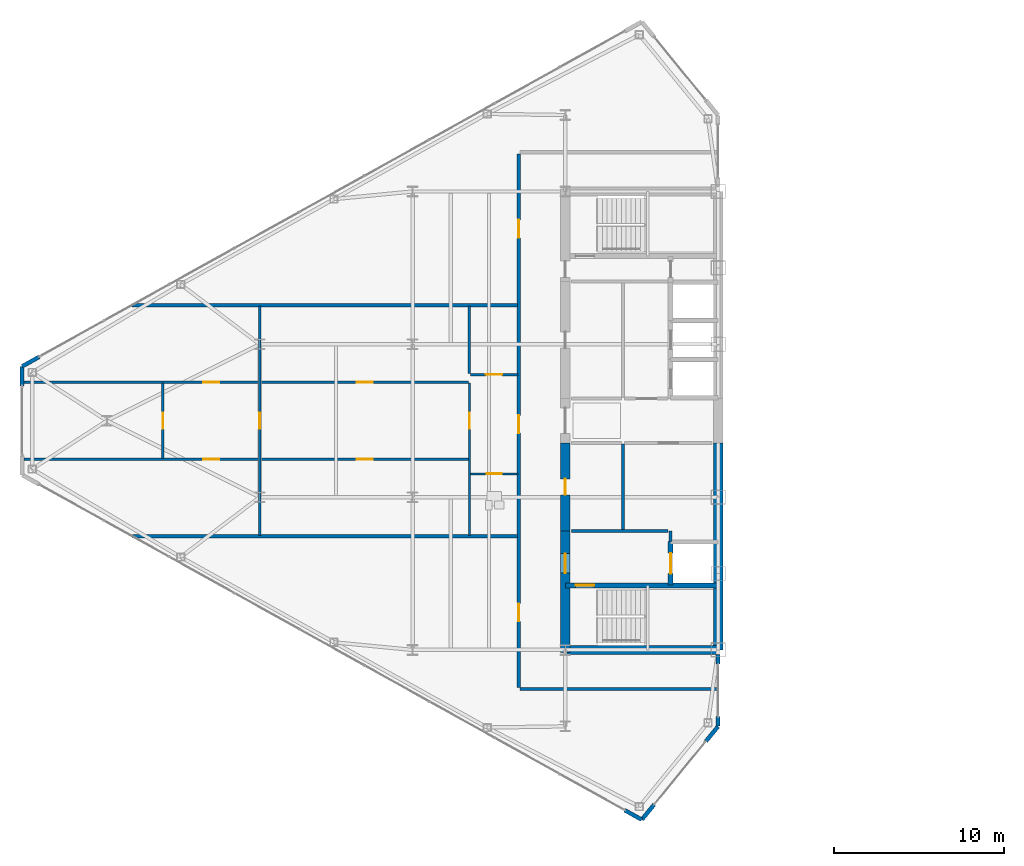
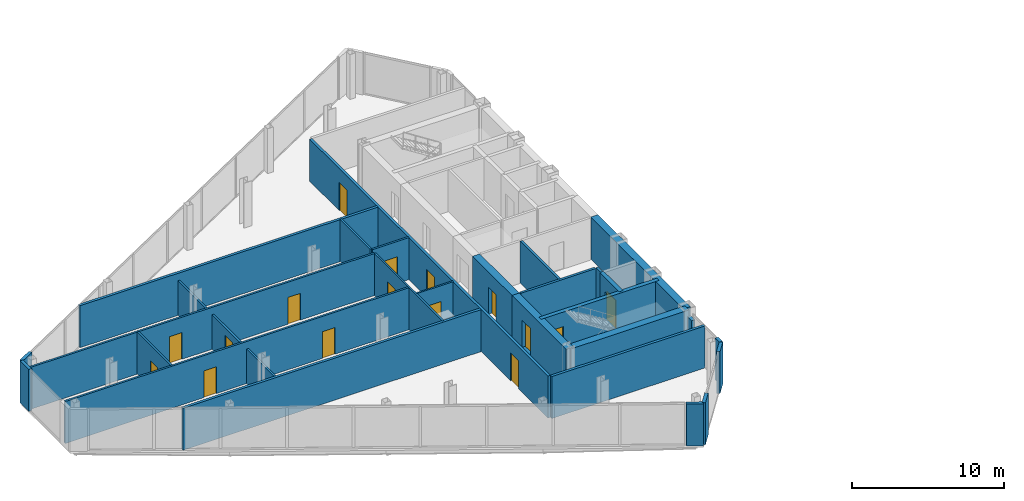
# One storey, part 19 of 25: 28 walls, 16 doors, 16 openings.
"""IFC4 building model written with IfcOpenShell, lengths in metres."""

from ifc_helpers import new_model, si_unit, direction, frame, frame_2d, origin, place, context, subcontext, project, spatial, rectangle, extrude, source, transform, mapped, material, layer, layer_set, type_object, type_shapes, element, fill, save


model = new_model("IFC4")

# Units and contexts
model_context = context("Model", 3, precision=1e-05, world=origin(), true_north=direction((0.0, 1.0)))
body_context = subcontext(model_context, "Body", "Model", "MODEL_VIEW")
ifc_project = project(units=[si_unit("LENGTHUNIT", "METRE"), si_unit("AREAUNIT", "SQUARE_METRE"), si_unit("VOLUMEUNIT", "CUBIC_METRE"), si_unit("PLANEANGLEUNIT", "RADIAN"), si_unit("MASSUNIT", "GRAM", prefix="KILO")], contexts=[model_context])

# Site, building, storey
site_placement = place(None, origin())
site = spatial("IfcSite", under=ifc_project, at=site_placement, CompositionType="ELEMENT")
building_placement = place(site_placement, origin())
building = spatial("IfcBuilding", under=site, at=building_placement, Name="Seokmaru Belvedere", CompositionType="ELEMENT")
storey_placement = place(building_placement, frame((0.0, 0.0, 185.10009765625)))
storey = spatial("IfcBuildingStorey", under=building, at=storey_placement, Name="L49", CompositionType="ELEMENT", Elevation=185.10009765625)

# Wall, openings, doors
ifc_material_1 = material(Name="Fire-Rated Gypsum Shaftwall")
ifc_layer_1 = layer(ifc_material_1, 0.14990234375)
ifc_layer_set_1 = layer_set([ifc_layer_1], Name="Fire-Rated Gypsum Shaftwall")
wall_type_1 = type_object("IfcWallType", Name="Apartment Fire-Acoustic Room Partition 150", PredefinedType="PARTITIONING", material=ifc_layer_set_1)
wall_1_placement = place(storey_placement, frame((-68.375, -2.27001953125, 0.0), z_axis=(0.0, 0.0, 1.0), x_axis=(1.0, 0.0, 0.0)))
wall_1 = element("IfcWall", 1, at=wall_1_placement, inside=storey, type_object=wall_type_1, Name="L49 Interior Partition 008", PredefinedType="PARTITIONING", context=body_context, shape_type="SweptSolid", body=[
    extrude(rectangle(XDim=26.175048828125, YDim=0.14990234375, at=frame_2d((13.08740234375, 0.0))), origin(), (0.0, 0.0, 1.0), 3.3798828125),
])
opening_1_placement = place(wall_1_placement, frame((19.574951171875, 0.0, 0.0)))
opening_1 = element("IfcOpeningElement", 2, at=opening_1_placement, cuts=wall_1, Name="Opening D05", PredefinedType="OPENING", context=body_context, shape_type="SweptSolid", body=[
    extrude(rectangle(XDim=0.949951171875, YDim=2.14990234375, at=frame_2d((0.47509765625, 1.074951171875))), frame((0.0, 0.0849609375, 0.0), z_axis=(0.0, -1.0, 0.0), x_axis=(1.0, 0.0, 0.0)), (0.0, 0.0, 1.0), 0.169921875),
])
opening_2_placement = place(wall_1_placement, frame((10.550048828125, 0.0, 0.0)))
opening_2 = element("IfcOpeningElement", 3, at=opening_2_placement, cuts=wall_1, Name="Opening D05", PredefinedType="OPENING", context=body_context, shape_type="SweptSolid", body=[
    extrude(rectangle(XDim=0.949951171875, YDim=2.14990234375, at=frame_2d((0.47509765625, 1.074951171875))), frame((0.0, 0.0849609375, 0.0), z_axis=(0.0, -1.0, 0.0), x_axis=(1.0, 0.0, 0.0)), (0.0, 0.0, 1.0), 0.169921875),
])
ifc_material_2 = material(Name="Engineered White Oak Timber", Category="wood")
door_type_1 = type_object("IfcDoorType", Name="Apartment Interior Fire-Rated Oak Door 950x2150", OperationType="NOTDEFINED", PredefinedType="DOOR", material=ifc_material_2)
shared_shape_1 = source(origin(), body_context, "Body", "SweptSolid", [
    extrude(rectangle(XDim=0.949951171875, YDim=2.14990234375, at=frame_2d((0.47509765625, 1.074951171875))), frame((0.0, 0.02490234375, 0.0), z_axis=(0.0, -1.0, 0.0), x_axis=(1.0, 0.0, 0.0)), (0.0, 0.0, 1.0), 0.050048828125),
])
type_shapes(door_type_1, [shared_shape_1])
door_1_placement = place(opening_1_placement, origin())
door_1 = element("IfcDoor", 4, at=door_1_placement, inside=storey, type_object=door_type_1, Name="L49 Interior Door 007", OperationType="SINGLE_SWING_RIGHT", OverallHeight=2.14990234375, OverallWidth=0.949951171875, PredefinedType="DOOR", context=body_context, shape_type="MappedRepresentation", body=[
    mapped(shared_shape_1, transform((0.0, 0.0, 0.0), scale=1.0)),
])
fill(opening_1, door_1)
door_2_placement = place(opening_2_placement, origin())
door_2 = element("IfcDoor", 5, at=door_2_placement, inside=storey, type_object=door_type_1, Name="L49 Interior Door 009", OperationType="SINGLE_SWING_LEFT", OverallHeight=2.14990234375, OverallWidth=0.949951171875, PredefinedType="DOOR", context=body_context, shape_type="MappedRepresentation", body=[
    mapped(shared_shape_1, transform((0.0, 0.0, 0.0), scale=1.0)),
])
fill(opening_2, door_2)

wall_2_placement = place(storey_placement, frame((-68.375, 2.27001953125, 0.0), z_axis=(0.0, 0.0, 1.0), x_axis=(1.0, 0.0, 0.0)))
wall_2 = element("IfcWall", 6, at=wall_2_placement, inside=storey, type_object=wall_type_1, Name="L49 Interior Partition 011", PredefinedType="PARTITIONING", context=body_context, shape_type="SweptSolid", body=[
    extrude(rectangle(XDim=26.175048828125, YDim=0.14990234375, at=frame_2d((13.08740234375, 0.0))), origin(), (0.0, 0.0, 1.0), 3.3798828125),
])
opening_3_placement = place(wall_2_placement, frame((19.574951171875, 0.0, 0.0)))
opening_3 = element("IfcOpeningElement", 7, at=opening_3_placement, cuts=wall_2, Name="Opening D05", PredefinedType="OPENING", context=body_context, shape_type="SweptSolid", body=[
    extrude(rectangle(XDim=0.949951171875, YDim=2.14990234375, at=frame_2d((0.47509765625, 1.074951171875))), frame((0.0, 0.0849609375, 0.0), z_axis=(0.0, -1.0, 0.0), x_axis=(1.0, 0.0, 0.0)), (0.0, 0.0, 1.0), 0.169921875),
])
opening_4_placement = place(wall_2_placement, frame((10.550048828125, 0.0, 0.0)))
opening_4 = element("IfcOpeningElement", 8, at=opening_4_placement, cuts=wall_2, Name="Opening D05", PredefinedType="OPENING", context=body_context, shape_type="SweptSolid", body=[
    extrude(rectangle(XDim=0.949951171875, YDim=2.14990234375, at=frame_2d((0.47509765625, 1.074951171875))), frame((0.0, 0.0849609375, 0.0), z_axis=(0.0, -1.0, 0.0), x_axis=(1.0, 0.0, 0.0)), (0.0, 0.0, 1.0), 0.169921875),
])
door_3_placement = place(opening_3_placement, origin())
door_3 = element("IfcDoor", 9, at=door_3_placement, inside=storey, type_object=door_type_1, Name="L49 Interior Door 008", OperationType="SINGLE_SWING_LEFT", OverallHeight=2.14990234375, OverallWidth=0.949951171875, PredefinedType="DOOR", context=body_context, shape_type="MappedRepresentation", body=[
    mapped(shared_shape_1, transform((0.0, 0.0, 0.0), scale=1.0)),
])
fill(opening_3, door_3)
door_4_placement = place(opening_4_placement, origin())
door_4 = element("IfcDoor", 10, at=door_4_placement, inside=storey, type_object=door_type_1, Name="L49 Interior Door 011", OperationType="SINGLE_SWING_RIGHT", OverallHeight=2.14990234375, OverallWidth=0.949951171875, PredefinedType="DOOR", context=body_context, shape_type="MappedRepresentation", body=[
    mapped(shared_shape_1, transform((0.0, 0.0, 0.0), scale=1.0)),
])
fill(opening_4, door_4)

# Wall, opening, door
wall_3_placement = place(storey_placement, frame((-42.10009765625, 2.719970703125, 0.0), z_axis=(0.0, 0.0, 1.0), x_axis=(1.0, 0.0, 0.0)))
wall_3 = element("IfcWall", 11, at=wall_3_placement, inside=storey, type_object=wall_type_1, Name="L49 Interior Partition 012", PredefinedType="PARTITIONING", context=body_context, shape_type="SweptSolid", body=[
    extrude(rectangle(XDim=2.800048828125, YDim=0.14990234375, at=frame_2d((1.39990234375, 0.0))), origin(), (0.0, 0.0, 1.0), 3.3798828125),
])
opening_5_placement = place(wall_3_placement, frame((0.925048828125, 0.0, 0.0)))
opening_5 = element("IfcOpeningElement", 12, at=opening_5_placement, cuts=wall_3, Name="Opening D05", PredefinedType="OPENING", context=body_context, shape_type="SweptSolid", body=[
    extrude(rectangle(XDim=0.949951171875, YDim=2.14990234375, at=frame_2d((0.47509765625, 1.074951171875))), frame((0.0, 0.0849609375, 0.0), z_axis=(0.0, -1.0, 0.0), x_axis=(1.0, 0.0, 0.0)), (0.0, 0.0, 1.0), 0.169921875),
])
door_5_placement = place(opening_5_placement, origin())
door_5 = element("IfcDoor", 13, at=door_5_placement, inside=storey, type_object=door_type_1, Name="L49 Interior Door 004", OperationType="SINGLE_SWING_LEFT", OverallHeight=2.14990234375, OverallWidth=0.949951171875, PredefinedType="DOOR", context=body_context, shape_type="MappedRepresentation", body=[
    mapped(shared_shape_1, transform((0.0, 0.0, 0.0), scale=1.0)),
])
fill(opening_5, door_5)

wall_4_placement = place(storey_placement, frame((-60.199951171875, -2.217041015625, 0.0), z_axis=(0.0, 0.0, 1.0), x_axis=(0.0, 1.0, 0.0)))
wall_4 = element("IfcWall", 14, at=wall_4_placement, inside=storey, type_object=wall_type_1, Name="L49 Interior Partition 017", PredefinedType="PARTITIONING", context=body_context, shape_type="SweptSolid", body=[
    extrude(rectangle(XDim=4.43408203125, YDim=0.14990234375, at=frame_2d((2.217041015625, 0.0))), origin(), (0.0, 0.0, 1.0), 3.3798828125),
])
opening_6_placement = place(wall_4_placement, frame((1.741943359375, 0.0, 0.0)))
opening_6 = element("IfcOpeningElement", 15, at=opening_6_placement, cuts=wall_4, Name="Opening D05", PredefinedType="OPENING", context=body_context, shape_type="SweptSolid", body=[
    extrude(rectangle(XDim=0.949951171875, YDim=2.14990234375, at=frame_2d((0.47509765625, 1.074951171875))), frame((0.0, 0.0849609375, 0.0), z_axis=(0.0, -1.0, 0.0), x_axis=(1.0, 0.0, 0.0)), (0.0, 0.0, 1.0), 0.169921875),
])
door_6_placement = place(opening_6_placement, origin())
door_6 = element("IfcDoor", 16, at=door_6_placement, inside=storey, type_object=door_type_1, Name="L49 Interior Door 010", OperationType="SINGLE_SWING_RIGHT", OverallHeight=2.14990234375, OverallWidth=0.949951171875, PredefinedType="DOOR", context=body_context, shape_type="MappedRepresentation", body=[
    mapped(shared_shape_1, transform((0.0, 0.0, 0.0), scale=1.0)),
])
fill(opening_6, door_6)

wall_5_placement = place(storey_placement, frame((-54.5, -6.75, 0.0), z_axis=(0.0, 0.0, 1.0), x_axis=(0.0, 1.0, 0.0)))
wall_5 = element("IfcWall", 17, at=wall_5_placement, inside=storey, type_object=wall_type_1, Name="L49 Interior Partition 018", PredefinedType="PARTITIONING", context=body_context, shape_type="SweptSolid", body=[
    extrude(rectangle(XDim=13.5, YDim=0.14990234375, at=frame_2d((6.75, 0.0))), origin(), (0.0, 0.0, 1.0), 2.77978515625),
])
opening_7_placement = place(wall_5_placement, frame((6.27490234375, 0.0, 0.0)))
opening_7 = element("IfcOpeningElement", 18, at=opening_7_placement, cuts=wall_5, Name="Opening D05", PredefinedType="OPENING", context=body_context, shape_type="SweptSolid", body=[
    extrude(rectangle(XDim=0.949951171875, YDim=2.14990234375, at=frame_2d((0.47509765625, 1.074951171875))), frame((0.0, 0.0849609375, 0.0), z_axis=(0.0, -1.0, 0.0), x_axis=(1.0, 0.0, 0.0)), (0.0, 0.0, 1.0), 0.169921875),
])
door_7_placement = place(opening_7_placement, origin())
door_7 = element("IfcDoor", 19, at=door_7_placement, inside=storey, type_object=door_type_1, Name="L49 Interior Door 006", OperationType="SINGLE_SWING_RIGHT", OverallHeight=2.14990234375, OverallWidth=0.949951171875, PredefinedType="DOOR", context=body_context, shape_type="MappedRepresentation", body=[
    mapped(shared_shape_1, transform((0.0, 0.0, 0.0), scale=1.0)),
])
fill(opening_7, door_7)

# Walls
wall_6_placement = place(storey_placement, frame((-42.14990234375, 2.77197265625, 0.0), z_axis=(0.0, 0.0, 1.0), x_axis=(0.0, 1.0, 0.0)))
element("IfcWall", 20, at=wall_6_placement, inside=storey, type_object=wall_type_1, Name="L49 Interior Partition 020", PredefinedType="PARTITIONING", context=body_context, shape_type="SweptSolid", body=[
    extrude(rectangle(XDim=3.97802734375, YDim=0.14990234375, at=frame_2d((1.989013671875, 0.0))), origin(), (0.0, 0.0, 1.0), 3.3798828125),
])
ifc_layer_2 = layer(ifc_material_1, 0.179931640625)
ifc_layer_set_2 = layer_set([ifc_layer_2], Name="Fire-Rated Gypsum Shaftwall")
wall_type_2 = type_object("IfcWallType", Name="Core Service Fire Partition 180", PredefinedType="PARTITIONING", material=ifc_layer_set_2)
wall_7_placement = place(storey_placement, frame((-36.14990234375, -6.5, 0.0), z_axis=(0.0, 0.0, 1.0), x_axis=(1.0, 0.0, 0.0)))
element("IfcWall", 21, at=wall_7_placement, inside=storey, type_object=wall_type_2, Name="L49 West Firefighting Lobby Partition", PredefinedType="PARTITIONING", context=body_context, shape_type="SweptSolid", body=[
    extrude(rectangle(XDim=5.699951171875, YDim=0.179931640625, at=frame_2d((2.85009765625, 0.0))), origin(), (0.0, 0.0, 1.0), 3.3798828125),
])
wall_8_placement = place(storey_placement, frame((-30.300048828125, -7.1201171875, 0.0), z_axis=(0.0, 0.0, 1.0), x_axis=(0.0, 1.0, 0.0)))
element("IfcWall", 22, at=wall_8_placement, inside=storey, type_object=wall_type_2, Name="L49 West Firefighting Lobby East Closure Wall", PredefinedType="PARTITIONING", context=body_context, shape_type="SweptSolid", body=[
    extrude(rectangle(XDim=0.6201171875, YDim=0.179931640625, at=frame_2d((0.31005859375, 0.0))), origin(), (0.0, 0.0, 1.0), 3.3798828125),
])
wall_9_placement = place(storey_placement, frame((-33.10009765625, -6.419921875, 0.0), z_axis=(0.0, 0.0, 1.0), x_axis=(0.0, 1.0, 0.0)))
element("IfcWall", 23, at=wall_9_placement, inside=storey, type_object=wall_type_2, Name="L49 West South Core Service Back Wall", PredefinedType="PARTITIONING", context=body_context, shape_type="SweptSolid", body=[
    extrude(rectangle(XDim=5.0400390625, YDim=0.179931640625, at=frame_2d((2.52001953125, 0.0))), origin(), (0.0, 0.0, 1.0), 3.3798828125),
])
ifc_layer_3 = layer(ifc_material_1, 0.199951171875)
ifc_layer_set_3 = layer_set([ifc_layer_3], Name="Fire-Rated Gypsum Shaftwall")
wall_type_3 = type_object("IfcWallType", Name="Inter-Tenancy Fire Compartment Partition 200", PredefinedType="PARTITIONING", material=ifc_layer_set_3)
wall_10_placement = place(storey_placement, frame((-39.1650390625, -15.800048828125, 0.0), z_axis=(0.0, 0.0, 1.0), x_axis=(1.0, 0.0, 0.0)))
element("IfcWall", 24, at=wall_10_placement, inside=storey, type_object=wall_type_3, Name="L49 Interior Partition 001", PredefinedType="PARTITIONING", context=body_context, shape_type="SweptSolid", body=[
    extrude(rectangle(XDim=11.6650390625, YDim=0.199951171875, at=frame_2d((5.83251953125, 0.0))), origin(), (0.0, 0.0, 1.0), 3.3798828125),
])
for number, where, z_axis, x_axis, name in (
    (25, (-62.037109375, -6.800048828125, 0.0), (0.0, 0.0, 1.0), (1.0, 0.0, 0.0), "L49 Interior Partition 004"),
    (26, (-62.037109375, 6.800048828125, 0.0), (0.0, 0.0, 1.0), (1.0, 0.0, 0.0), "L49 Interior Partition 014"),
):
    element("IfcWall", number, at=place(storey_placement, frame(where, z_axis=z_axis, x_axis=x_axis)), inside=storey, type_object=wall_type_3, Name=name, PredefinedType="PARTITIONING", context=body_context, shape_type="SweptSolid", body=[
        extrude(rectangle(XDim=22.70703125, YDim=0.199951171875, at=frame_2d((11.353515625, 0.0))), origin(), (0.0, 0.0, 1.0), 3.3798828125),
    ])

# Wall, openings, doors
wall_11_placement = place(storey_placement, frame((-39.25, -15.715087890625, 0.0), z_axis=(0.0, 0.0, 1.0), x_axis=(0.0, 1.0, 0.0)))
wall_11 = element("IfcWall", 27, at=wall_11_placement, inside=storey, type_object=wall_type_3, Name="L49 Interior Partition 021", PredefinedType="PARTITIONING", context=body_context, shape_type="SweptSolid", body=[
    extrude(rectangle(XDim=31.43017578125, YDim=0.199951171875, at=frame_2d((15.715087890625, 0.0))), origin(), (0.0, 0.0, 1.0), 3.3798828125),
])
opening_8_placement = place(wall_11_placement, frame((3.889892578125, 0.0, 0.0)))
opening_8 = element("IfcOpeningElement", 28, at=opening_8_placement, cuts=wall_11, Name="Opening D03", PredefinedType="OPENING", context=body_context, shape_type="SweptSolid", body=[
    extrude(rectangle(XDim=1.050048828125, YDim=2.25, at=frame_2d((0.52490234375, 1.125))), frame((0.0, 0.10986328125, 0.0), z_axis=(0.0, -1.0, 0.0), x_axis=(1.0, 0.0, 0.0)), (0.0, 0.0, 1.0), 0.219970703125),
])
opening_9_placement = place(wall_11_placement, frame((14.986083984375, 0.0, 0.0)))
opening_9 = element("IfcOpeningElement", 29, at=opening_9_placement, cuts=wall_11, Name="Opening D03", PredefinedType="OPENING", context=body_context, shape_type="SweptSolid", body=[
    extrude(rectangle(XDim=1.050048828125, YDim=2.25, at=frame_2d((0.52490234375, 1.125))), frame((0.0, 0.10986328125, 0.0), z_axis=(0.0, -1.0, 0.0), x_axis=(1.0, 0.0, 0.0)), (0.0, 0.0, 1.0), 0.219970703125),
])
opening_10_placement = place(wall_11_placement, frame((26.489990234375, 0.0, 0.0)))
opening_10 = element("IfcOpeningElement", 30, at=opening_10_placement, cuts=wall_11, Name="Opening D03", PredefinedType="OPENING", context=body_context, shape_type="SweptSolid", body=[
    extrude(rectangle(XDim=1.050048828125, YDim=2.25, at=frame_2d((0.52490234375, 1.125))), frame((0.0, 0.10986328125, 0.0), z_axis=(0.0, -1.0, 0.0), x_axis=(1.0, 0.0, 0.0)), (0.0, 0.0, 1.0), 0.219970703125),
])
ifc_material_3 = material(Name="Fire-Rated Steel Leaf", Category="steel")
door_type_2 = type_object("IfcDoorType", Name="Apartment Entrance Fire Door 1050x2250", OperationType="NOTDEFINED", PredefinedType="DOOR", material=ifc_material_3)
shared_shape_2 = source(origin(), body_context, "Body", "SweptSolid", [
    extrude(rectangle(XDim=1.050048828125, YDim=2.25, at=frame_2d((0.52490234375, 1.125))), frame((0.0, 0.02490234375, 0.0), z_axis=(0.0, -1.0, 0.0), x_axis=(1.0, 0.0, 0.0)), (0.0, 0.0, 1.0), 0.050048828125),
])
type_shapes(door_type_2, [shared_shape_2])
door_8_placement = place(opening_8_placement, origin())
door_8 = element("IfcDoor", 31, at=door_8_placement, inside=storey, type_object=door_type_2, Name="L49 Interior Door 001", OperationType="SINGLE_SWING_RIGHT", OverallHeight=2.25, OverallWidth=1.050048828125, PredefinedType="DOOR", context=body_context, shape_type="MappedRepresentation", body=[
    mapped(shared_shape_2, transform((0.0, 0.0, 0.0), scale=1.0)),
])
fill(opening_8, door_8)
door_9_placement = place(opening_9_placement, origin())
door_9 = element("IfcDoor", 32, at=door_9_placement, inside=storey, type_object=door_type_2, Name="L49 Interior Door 002", OperationType="SINGLE_SWING_LEFT", OverallHeight=2.25, OverallWidth=1.050048828125, PredefinedType="DOOR", context=body_context, shape_type="MappedRepresentation", body=[
    mapped(shared_shape_2, transform((0.0, 0.0, 0.0), scale=1.0)),
])
fill(opening_9, door_9)
door_10_placement = place(opening_10_placement, origin())
door_10 = element("IfcDoor", 33, at=door_10_placement, inside=storey, type_object=door_type_2, Name="L49 Interior Door 012", OperationType="SINGLE_SWING_RIGHT", OverallHeight=2.25, OverallWidth=1.050048828125, PredefinedType="DOOR", context=body_context, shape_type="MappedRepresentation", body=[
    mapped(shared_shape_2, transform((0.0, 0.0, 0.0), scale=1.0)),
])
fill(opening_10, door_10)

# Wall, opening, door
ifc_material_4 = material(Name="Concrete C50 (50 MPa)", Category="concrete")
ifc_layer_4 = layer(ifc_material_4, 0.300048828125)
ifc_layer_set_4 = layer_set([ifc_layer_4], Name="Concrete C50 (50 MPa)")
wall_type_4 = type_object("IfcWallType", Name="Internal Core Stair and Hoistway Wall 300", PredefinedType="SHEAR", material=ifc_layer_set_4)
wall_12_placement = place(storey_placement, frame((-36.5, -9.699951171875, 0.0), z_axis=(0.0, 0.0, 1.0), x_axis=(1.0, 0.0, 0.0)))
wall_12 = element("IfcWall", 34, at=wall_12_placement, inside=storey, type_object=wall_type_4, Name="L49 West Stair ST-1 Enclosure Wall", PredefinedType="SHEAR", context=body_context, shape_type="SweptSolid", body=[
    extrude(rectangle(XDim=9.0, YDim=0.300048828125, at=frame_2d((4.5, 0.0))), origin(), (0.0, 0.0, 1.0), 3.3798828125),
])
opening_11_placement = place(wall_12_placement, frame((0.60009765625, 0.0, 0.0)))
opening_11 = element("IfcOpeningElement", 35, at=opening_11_placement, cuts=wall_12, Name="Opening D01", PredefinedType="OPENING", context=body_context, shape_type="SweptSolid", body=[
    extrude(rectangle(XDim=1.10009765625, YDim=2.199951171875, at=frame_2d((0.550048828125, 1.10009765625))), frame((0.0, 0.16015625, 0.0), z_axis=(0.0, -1.0, 0.0), x_axis=(1.0, 0.0, 0.0)), (0.0, 0.0, 1.0), 0.320068359375),
])
door_type_3 = type_object("IfcDoorType", Name="Special Escape Stair Smokeproof Fire Door 1100x2200", OperationType="NOTDEFINED", PredefinedType="DOOR", material=ifc_material_3)
shared_shape_3 = source(origin(), body_context, "Body", "SweptSolid", [
    extrude(rectangle(XDim=1.10009765625, YDim=2.199951171875, at=frame_2d((0.550048828125, 1.10009765625))), frame((0.0, 0.02490234375, 0.0), z_axis=(0.0, -1.0, 0.0), x_axis=(1.0, 0.0, 0.0)), (0.0, 0.0, 1.0), 0.050048828125),
])
type_shapes(door_type_3, [shared_shape_3])
door_11_placement = place(opening_11_placement, frame((1.10009765625, 0.0, 0.0), z_axis=(0.0, 0.0, 1.0), x_axis=(-1.0, 0.0, 0.0)))
door_11 = element("IfcDoor", 36, at=door_11_placement, inside=storey, type_object=door_type_3, Name="L49 West Special Escape Stair ST-1 Door", OperationType="SINGLE_SWING_LEFT", OverallHeight=2.199951171875, OverallWidth=1.10009765625, PredefinedType="DOOR", context=body_context, shape_type="MappedRepresentation", body=[
    mapped(shared_shape_3, transform((0.0, 0.0, 0.0), scale=1.0)),
])
fill(opening_11, door_11)

wall_13_placement = place(storey_placement, frame((-30.300048828125, -9.679931640625, 0.0), z_axis=(0.0, 0.0, 1.0), x_axis=(0.0, 1.0, 0.0)))
wall_13 = element("IfcWall", 37, at=wall_13_placement, inside=storey, type_object=wall_type_4, Name="L49 West Firefighting Lift Shaft Front Wall", PredefinedType="SHEAR", context=body_context, shape_type="SweptSolid", body=[
    extrude(rectangle(XDim=2.559814453125, YDim=0.300048828125, at=frame_2d((1.27978515625, 0.0))), origin(), (0.0, 0.0, 1.0), 3.3798828125),
])
opening_12_placement = place(wall_13_placement, frame((0.679931640625, 0.0, 0.0)))
opening_12 = element("IfcOpeningElement", 38, at=opening_12_placement, cuts=wall_13, Name="Opening LD2", PredefinedType="OPENING", context=body_context, shape_type="SweptSolid", body=[
    extrude(rectangle(XDim=1.199951171875, YDim=2.25, at=frame_2d((0.60009765625, 1.125))), frame((0.0, 0.16015625, 0.0), z_axis=(0.0, -1.0, 0.0), x_axis=(1.0, 0.0, 0.0)), (0.0, 0.0, 1.0), 0.320068359375),
])
ifc_material_5 = material(Name="Stainless Steel 316", Category="steel")
door_type_4 = type_object("IfcDoorType", Name="Firefighting Lift Sliding Landing Door 1200x2250", OperationType="DOUBLE_DOOR_SLIDING", PredefinedType="DOOR", material=ifc_material_5)
shared_shape_4 = source(origin(), body_context, "Body", "SweptSolid", [
    extrude(rectangle(XDim=1.199951171875, YDim=2.25, at=frame_2d((0.60009765625, 1.125))), frame((0.0, 0.02490234375, 0.0), z_axis=(0.0, -1.0, 0.0), x_axis=(1.0, 0.0, 0.0)), (0.0, 0.0, 1.0), 0.050048828125),
])
type_shapes(door_type_4, [shared_shape_4])
door_12_placement = place(opening_12_placement, origin())
door_12 = element("IfcDoor", 39, at=door_12_placement, inside=storey, type_object=door_type_4, Name="L49 West Firefighting Lift Landing Door", OperationType="DOUBLE_DOOR_SLIDING", OverallHeight=2.25, OverallWidth=1.199951171875, PredefinedType="DOOR", context=body_context, shape_type="MappedRepresentation", body=[
    mapped(shared_shape_4, transform((0.0, 0.0, 0.0), scale=1.0)),
])
fill(opening_12, door_12)

# Walls
ifc_layer_5 = layer(ifc_material_4, 0.550048828125)
ifc_layer_set_5 = layer_set([ifc_layer_5], Name="Concrete C50 (50 MPa)")
wall_type_5 = type_object("IfcWallType", Name="Mid-High Reinforced Concrete Core Wall 550", PredefinedType="SHEAR", material=ifc_layer_set_5)
wall_14_placement = place(storey_placement, frame((-27.5, -13.5, 0.0), z_axis=(0.0, 0.0, 1.0), x_axis=(0.0, 1.0, 0.0)))
element("IfcWall", 40, at=wall_14_placement, inside=storey, type_object=wall_type_5, Name="L49 West Portal Spine Core Wall South", PredefinedType="SHEAR", context=body_context, shape_type="SweptSolid", body=[
    extrude(rectangle(XDim=12.199951171875, YDim=0.550048828125, at=frame_2d((6.10009765625, 0.0))), origin(), (0.0, 0.0, 1.0), 3.3798828125),
])
wall_15_placement = place(storey_placement, frame((-36.5, -13.5, 0.0), z_axis=(0.0, 0.0, 1.0), x_axis=(1.0, 0.0, 0.0)))
element("IfcWall", 41, at=wall_15_placement, inside=storey, type_object=wall_type_5, Name="L49 West South Core Wall", PredefinedType="SHEAR", context=body_context, shape_type="SweptSolid", body=[
    extrude(rectangle(XDim=9.0, YDim=0.550048828125, at=frame_2d((4.5, 0.0))), origin(), (0.0, 0.0, 1.0), 3.3798828125),
])

# Wall, opening, door
wall_16_placement = place(storey_placement, frame((-36.5, -13.64990234375, 0.0), z_axis=(0.0, 0.0, 1.0), x_axis=(0.0, 1.0, 0.0)))
wall_16 = element("IfcWall", 42, at=wall_16_placement, inside=storey, type_object=wall_type_5, Name="L49 West West Core Wall FF", PredefinedType="SHEAR", context=body_context, shape_type="SweptSolid", body=[
    extrude(rectangle(XDim=7.14990234375, YDim=0.550048828125, at=frame_2d((3.574951171875, 0.0))), origin(), (0.0, 0.0, 1.0), 3.3798828125),
])
opening_13_placement = place(wall_16_placement, frame((4.675048828125, 0.0, 0.0)))
opening_13 = element("IfcOpeningElement", 43, at=opening_13_placement, cuts=wall_16, Name="Opening D02", PredefinedType="OPENING", context=body_context, shape_type="SweptSolid", body=[
    extrude(rectangle(XDim=1.14990234375, YDim=2.199951171875, at=frame_2d((0.574951171875, 1.10009765625))), frame((0.0, 0.28515625, 0.0), z_axis=(0.0, -1.0, 0.0), x_axis=(1.0, 0.0, 0.0)), (0.0, 0.0, 1.0), 0.570068359375),
])
door_type_5 = type_object("IfcDoorType", Name="Lobby and Vestibule Fire Door 1150x2200", OperationType="NOTDEFINED", PredefinedType="DOOR", material=ifc_material_3)
shared_shape_5 = source(origin(), body_context, "Body", "SweptSolid", [
    extrude(rectangle(XDim=1.14990234375, YDim=2.199951171875, at=frame_2d((0.574951171875, 1.10009765625))), frame((0.0, 0.02490234375, 0.0), z_axis=(0.0, -1.0, 0.0), x_axis=(1.0, 0.0, 0.0)), (0.0, 0.0, 1.0), 0.050048828125),
])
type_shapes(door_type_5, [shared_shape_5])
door_13_placement = place(opening_13_placement, frame((1.14990234375, 0.0, 0.0), z_axis=(0.0, 0.0, 1.0), x_axis=(-1.0, 0.0, 0.0)))
door_13 = element("IfcDoor", 44, at=door_13_placement, inside=storey, type_object=door_type_5, Name="L49 West Firefighting Lobby Door", OperationType="SINGLE_SWING_LEFT", OverallHeight=2.199951171875, OverallWidth=1.14990234375, PredefinedType="DOOR", context=body_context, shape_type="MappedRepresentation", body=[
    mapped(shared_shape_5, transform((0.0, 0.0, 0.0), scale=1.0)),
])
fill(opening_13, door_13)

wall_17_placement = place(storey_placement, frame((-36.5, -6.5, 0.0), z_axis=(0.0, 0.0, 1.0), x_axis=(0.0, 1.0, 0.0)))
wall_17 = element("IfcWall", 45, at=wall_17_placement, inside=storey, type_object=wall_type_5, Name="L49 West West Core Wall CS1", PredefinedType="SHEAR", context=body_context, shape_type="SweptSolid", body=[
    extrude(rectangle(XDim=5.199951171875, YDim=0.550048828125, at=frame_2d((2.60009765625, 0.0))), origin(), (0.0, 0.0, 1.0), 3.3798828125),
])
opening_14_placement = place(wall_17_placement, frame((2.125, 0.0, 0.0)))
opening_14 = element("IfcOpeningElement", 46, at=opening_14_placement, cuts=wall_17, Name="Opening D04", PredefinedType="OPENING", context=body_context, shape_type="SweptSolid", body=[
    extrude(rectangle(XDim=0.949951171875, YDim=2.14990234375, at=frame_2d((0.47509765625, 1.074951171875))), frame((0.0, 0.28515625, 0.0), z_axis=(0.0, -1.0, 0.0), x_axis=(1.0, 0.0, 0.0)), (0.0, 0.0, 1.0), 0.570068359375),
])
door_type_6 = type_object("IfcDoorType", Name="Core Service Room Fire Door 950x2150", OperationType="NOTDEFINED", PredefinedType="DOOR", material=ifc_material_3)
shared_shape_6 = source(origin(), body_context, "Body", "SweptSolid", [
    extrude(rectangle(XDim=0.949951171875, YDim=2.14990234375, at=frame_2d((0.47509765625, 1.074951171875))), frame((0.0, 0.02490234375, 0.0), z_axis=(0.0, -1.0, 0.0), x_axis=(1.0, 0.0, 0.0)), (0.0, 0.0, 1.0), 0.050048828125),
])
type_shapes(door_type_6, [shared_shape_6])
door_14_placement = place(opening_14_placement, origin())
door_14 = element("IfcDoor", 47, at=door_14_placement, inside=storey, type_object=door_type_6, Name="L49 West Core Service Room Door 1", OperationType="SINGLE_SWING_LEFT", OverallHeight=2.14990234375, OverallWidth=0.949951171875, PredefinedType="DOOR", context=body_context, shape_type="MappedRepresentation", body=[
    mapped(shared_shape_6, transform((0.0, 0.0, 0.0), scale=1.0)),
])
fill(opening_14, door_14)

ifc_layer_6 = layer(ifc_material_1, 0.1298828125)
ifc_layer_set_6 = layer_set([ifc_layer_6], Name="Fire-Rated Gypsum Shaftwall")
wall_type_6 = type_object("IfcWallType", Name="Moisture-Resistant Fire-Rated Bathroom Partition 130", PredefinedType="PARTITIONING", material=ifc_layer_set_6)
wall_18_placement = place(storey_placement, frame((-42.10009765625, -3.1298828125, 0.0), z_axis=(0.0, 0.0, 1.0), x_axis=(1.0, 0.0, 0.0)))
wall_18 = element("IfcWall", 48, at=wall_18_placement, inside=storey, type_object=wall_type_6, Name="L49 Interior Partition 007", PredefinedType="PARTITIONING", context=body_context, shape_type="SweptSolid", body=[
    extrude(rectangle(XDim=2.800048828125, YDim=0.1298828125, at=frame_2d((1.39990234375, 0.0))), origin(), (0.0, 0.0, 1.0), 3.3798828125),
])
opening_15_placement = place(wall_18_placement, frame((0.9599609375, 0.0, 0.0)))
opening_15 = element("IfcOpeningElement", 49, at=opening_15_placement, cuts=wall_18, Name="Opening D06", PredefinedType="OPENING", context=body_context, shape_type="SweptSolid", body=[
    extrude(rectangle(XDim=0.8798828125, YDim=2.10009765625, at=frame_2d((0.43994140625, 1.050048828125))), frame((0.0, 0.074951171875, 0.0), z_axis=(0.0, -1.0, 0.0), x_axis=(1.0, 0.0, 0.0)), (0.0, 0.0, 1.0), 0.14990234375),
])
door_type_7 = type_object("IfcDoorType", Name="Bathroom and Restroom Fire-Rated Door 880x2100", OperationType="NOTDEFINED", PredefinedType="DOOR", material=ifc_material_2)
shared_shape_7 = source(origin(), body_context, "Body", "SweptSolid", [
    extrude(rectangle(XDim=0.8798828125, YDim=2.10009765625, at=frame_2d((0.43994140625, 1.050048828125))), frame((0.0, 0.02490234375, 0.0), z_axis=(0.0, -1.0, 0.0), x_axis=(1.0, 0.0, 0.0)), (0.0, 0.0, 1.0), 0.050048828125),
])
type_shapes(door_type_7, [shared_shape_7])
door_15_placement = place(opening_15_placement, origin())
door_15 = element("IfcDoor", 50, at=door_15_placement, inside=storey, type_object=door_type_7, Name="L49 Interior Door 003", OperationType="SINGLE_SWING_LEFT", OverallHeight=2.10009765625, OverallWidth=0.8798828125, PredefinedType="DOOR", context=body_context, shape_type="MappedRepresentation", body=[
    mapped(shared_shape_7, transform((0.0, 0.0, 0.0), scale=1.0)),
])
fill(opening_15, door_15)

wall_19_placement = place(storey_placement, frame((-42.14990234375, -6.75, 0.0), z_axis=(0.0, 0.0, 1.0), x_axis=(0.0, 1.0, 0.0)))
wall_19 = element("IfcWall", 51, at=wall_19_placement, inside=storey, type_object=wall_type_6, Name="L49 Interior Partition 019", PredefinedType="PARTITIONING", context=body_context, shape_type="SweptSolid", body=[
    extrude(rectangle(XDim=8.967041015625, YDim=0.1298828125, at=frame_2d((4.4833984375, 0.0))), origin(), (0.0, 0.0, 1.0), 3.3798828125),
])
opening_16_placement = place(wall_19_placement, frame((6.27490234375, 0.0, 0.0)))
opening_16 = element("IfcOpeningElement", 52, at=opening_16_placement, cuts=wall_19, Name="Opening D05", PredefinedType="OPENING", context=body_context, shape_type="SweptSolid", body=[
    extrude(rectangle(XDim=0.949951171875, YDim=2.14990234375, at=frame_2d((0.47509765625, 1.074951171875))), frame((0.0, 0.074951171875, 0.0), z_axis=(0.0, -1.0, 0.0), x_axis=(1.0, 0.0, 0.0)), (0.0, 0.0, 1.0), 0.14990234375),
])
door_16_placement = place(opening_16_placement, origin())
door_16 = element("IfcDoor", 53, at=door_16_placement, inside=storey, type_object=door_type_1, Name="L49 Interior Door 005", OperationType="SINGLE_SWING_RIGHT", OverallHeight=2.14990234375, OverallWidth=0.949951171875, PredefinedType="DOOR", context=body_context, shape_type="MappedRepresentation", body=[
    mapped(shared_shape_1, transform((0.0, 0.0, 0.0), scale=1.0)),
])
fill(opening_16, door_16)

# Walls
ifc_material_6 = material(Name="Anodised Bronze Aluminium", Category="aluminium")
ifc_layer_7 = layer(ifc_material_6, 0.239990234375)
ifc_layer_set_7 = layer_set([ifc_layer_7], Name="Anodised Bronze Aluminium")
wall_type_7 = type_object("IfcWallType", Name="Tower Corner Spandrel Closure Wall 240", PredefinedType="SOLIDWALL", material=ifc_layer_set_7)
wall_20_placement = place(storey_placement, frame((-27.5, -17.97998046875, 0.0), z_axis=(0.0, 0.0, 1.0), x_axis=(0.0, 1.0, 0.0)))
element("IfcWall", 54, at=wall_20_placement, inside=storey, type_object=wall_type_7, Name="L49 W Spine Closure Pier 1A", PredefinedType="SOLIDWALL", context=body_context, shape_type="SweptSolid", body=[
    extrude(rectangle(XDim=0.550048828125, YDim=0.239990234375, at=frame_2d((0.27490234375, 0.0))), origin(), (0.0, 0.0, 1.0), 3.3798828125),
])
wall_21_placement = place(storey_placement, frame((-27.5, -14.330078125, 0.0), z_axis=(0.0, 0.0, 1.0), x_axis=(0.0, 1.0, 0.0)))
element("IfcWall", 55, at=wall_21_placement, inside=storey, type_object=wall_type_7, Name="L49 W Spine Closure Pier 1B", PredefinedType="SOLIDWALL", context=body_context, shape_type="SweptSolid", body=[
    extrude(rectangle(XDim=0.550048828125, YDim=0.239990234375, at=frame_2d((0.27490234375, 0.0))), origin(), (0.0, 0.0, 1.0), 2.8798828125),
])
for number, where, z_axis, x_axis, name in (
    (56, (-67.4951171875, 3.759033203125, 0.0), (0.0, 0.0, 1.0), (-0.87385402111, -0.486188389196, 0.0), "L49 W Corner Closure Pier 3B"),
    (57, (-68.5, 3.18994140625, 0.0), (0.0, 0.0, 1.0), (0.0, -1.0, 0.0), "L49 W Corner Closure Pier 4A"),
    (58, (-33.0048828125, -22.94091796875, 0.0), (0.0, 0.0, 1.0), (0.87385402111, -0.486188389196, 0.0), "L49 W Corner Closure Pier 5B"),
):
    element("IfcWall", number, at=place(storey_placement, frame(where, z_axis=z_axis, x_axis=x_axis)), inside=storey, type_object=wall_type_7, Name=name, PredefinedType="SOLIDWALL", context=body_context, shape_type="SweptSolid", body=[
        extrude(rectangle(XDim=1.139892578125, YDim=0.239990234375, at=frame_2d((0.56982421875, 0.0))), origin(), (0.0, 0.0, 1.0), 3.3798828125),
    ])
for number, where, z_axis, x_axis, name in (
    (59, (-31.99365234375, -23.4921875, 0.0), (0.0, 0.0, 1.0), (0.633249451965, 0.77394775766, 0.0), "L49 W Corner Closure Pier 6A"),
    (60, (-28.228271484375, -18.89013671875, 0.0), (0.0, 0.0, 1.0), (0.633249451965, 0.77394775766, 0.0), "L49 W Corner Closure Pier 6B"),
):
    element("IfcWall", number, at=place(storey_placement, frame(where, z_axis=z_axis, x_axis=x_axis)), inside=storey, type_object=wall_type_7, Name=name, PredefinedType="SOLIDWALL", context=body_context, shape_type="SweptSolid", body=[
        extrude(rectangle(XDim=1.14013671875, YDim=0.239990234375, at=frame_2d((0.570068359375, 0.0))), origin(), (0.0, 0.0, 1.0), 3.3798828125),
    ])

save(model, "model.ifc")
